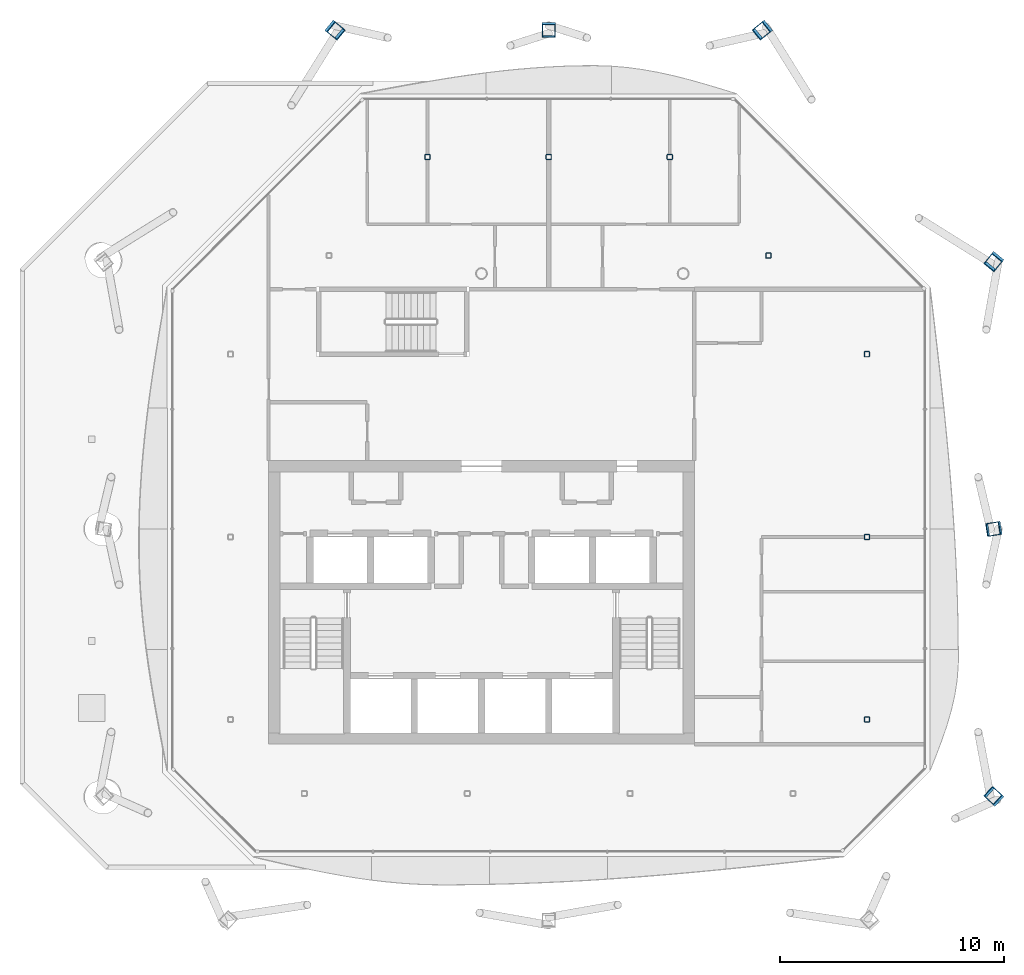
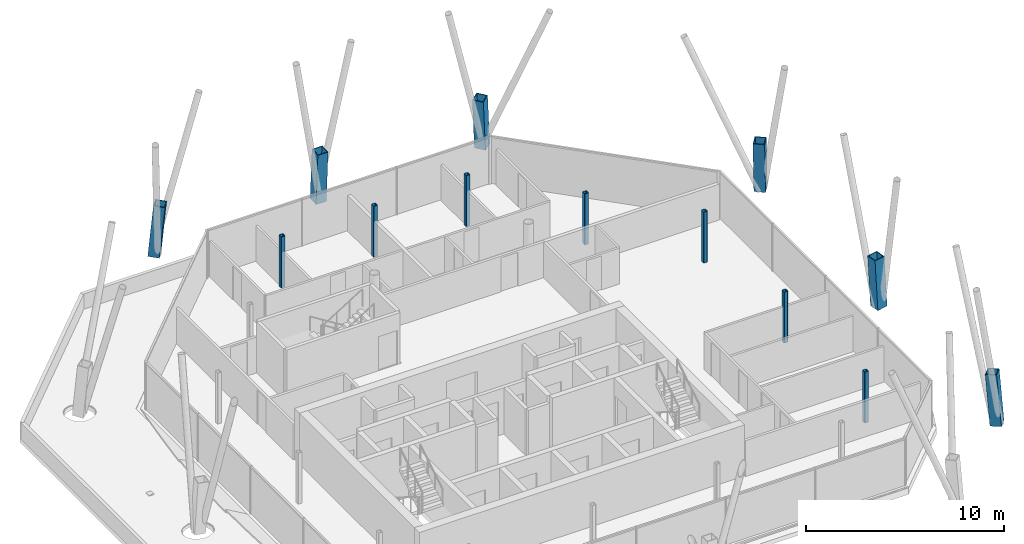
# One storey, part 2 of 17: 13 columns.
"""IFC4 building model written with IfcOpenShell, lengths in metres."""

import ifcopenshell
import ifcopenshell.guid

model = None  # the IFC model being written
_history = None  # IfcOwnerHistory: only IFC2X3 demands one
_inside = {}  # id of a spatial element -> (the spatial element, [elements in it])
_under = {}  # id of a project, library or spatial element -> (it, [spatial elements below it])
_declared = {}  # id of a project -> (the project, [libraries it declares])
_typed = {}  # id of a type object -> (the type object, [elements of that type])
_made_of = {}  # id of a material, layer set ... -> (it, [elements and type objects made of it])


def new_model(schema):
    """Start an empty IFC model of exactly this schema.

    Asked for "IFC4X3", IfcOpenShell would pick the latest addendum, in which some entities
    have other attributes; the version numbers below select the first issue.
    IFC2X3 requires an IfcOwnerHistory on every rooted entity: one is made here for all.
    """
    global model, _history
    if schema == "IFC4X3":
        model = ifcopenshell.file(schema_version=(4, 3, 0, 0))
    else:
        model = ifcopenshell.file(schema=schema)
    _inside.clear()
    _under.clear()
    _declared.clear()
    _typed.clear()
    _made_of.clear()
    _history = None
    if model.schema == "IFC2X3":
        org = make("IfcOrganization", Name="unknown")
        user = make(
            "IfcPersonAndOrganization",
            ThePerson=make("IfcPerson", FamilyName="unknown"),
            TheOrganization=org,
        )
        app = make(
            "IfcApplication",
            ApplicationDeveloper=org,
            Version="unknown",
            ApplicationFullName="unknown",
            ApplicationIdentifier="unknown",
        )
        _history = make(
            "IfcOwnerHistory",
            OwningUser=user,
            OwningApplication=app,
            ChangeAction="ADDED",
            CreationDate=0,
        )
    return model


def make(cls, **values):
    """One entity of the class cls with the attributes given. An attribute that is None is left unset."""
    return model.create_entity(
        cls, **{name: value for name, value in values.items() if value is not None}
    )


def rooted(cls, **values):
    """An entity with a GlobalId (a new one), such as an element, a storey or a relation."""
    return make(cls, GlobalId=ifcopenshell.guid.new(), OwnerHistory=_history, **values)


def si_unit(unit_type, name, prefix=None):
    """IfcSIUnit, for example si_unit("LENGTHUNIT", "METRE", prefix="MILLI")."""
    return make("IfcSIUnit", UnitType=unit_type, Prefix=prefix, Name=name)


def assignment(units):
    """IfcUnitAssignment: the units of a project."""
    return None if units is None else make("IfcUnitAssignment", Units=units)


def point(xyz):
    """IfcCartesianPoint."""
    return None if xyz is None else make("IfcCartesianPoint", Coordinates=xyz)


def direction(xyz):
    """IfcDirection."""
    return None if xyz is None else make("IfcDirection", DirectionRatios=xyz)


def frame(location, z_axis=None, x_axis=None):
    """IfcAxis2Placement3D, a coordinate frame: its origin and axes. An axis left out is left unset."""
    return make(
        "IfcAxis2Placement3D",
        Location=point(location),
        Axis=direction(z_axis),
        RefDirection=direction(x_axis),
    )


def frame_2d(location, x_axis=None):
    """IfcAxis2Placement2D, a coordinate frame in the plane: its origin and x axis."""
    return make(
        "IfcAxis2Placement2D", Location=point(location), RefDirection=direction(x_axis)
    )


def origin():
    """The frame at (0, 0, 0) with its axes left unset."""
    return frame((0.0, 0.0, 0.0))


def origin_2d():
    """The frame at (0, 0) in the plane with its x axis left unset."""
    return frame_2d((0.0, 0.0))


def place(relative_to, where):
    """IfcLocalPlacement: puts the frame where relative to a parent placement (None: the world)."""
    return make(
        "IfcLocalPlacement", PlacementRelTo=relative_to, RelativePlacement=where
    )


def context(
    kind, dimensions, precision=None, world=None, true_north=None, identifier=None
):
    """IfcGeometricRepresentationContext, for example the 3D "Model" context."""
    return make(
        "IfcGeometricRepresentationContext",
        ContextIdentifier=identifier,
        ContextType=kind,
        CoordinateSpaceDimension=dimensions,
        Precision=precision,
        WorldCoordinateSystem=world,
        TrueNorth=true_north,
    )


def subcontext(parent, identifier, kind, view, scale=None):
    """IfcGeometricRepresentationSubContext, for example "Body" below "Model"."""
    return make(
        "IfcGeometricRepresentationSubContext",
        ContextIdentifier=identifier,
        ContextType=kind,
        ParentContext=parent,
        TargetScale=scale,
        TargetView=view,
    )


def project(units=None, contexts=None):
    """IfcProject with its units and contexts."""
    return rooted(
        "IfcProject",
        Name="project",
        RepresentationContexts=contexts,
        UnitsInContext=assignment(units),
    )


def spatial(cls, under=None, at=None, **own):
    """A site, building, storey or space (cls), placed at a placement, below another one or the project."""
    s = rooted(cls, ObjectPlacement=at, **own)
    if under is not None:
        _under.setdefault(under.id(), (under, []))[1].append(s)
    return s


def profile(cls, at=None, kind="AREA", **sizes):
    """A parametric profile (cls). Its sizes go by their IFC names, for example OverallWidth=200.0."""
    return make(cls, ProfileType=kind, Position=at, **sizes)


def hollow_rectangle(**sizes):
    """IfcRectangleHollowProfileDef."""
    return profile("IfcRectangleHollowProfileDef", **sizes)


def extrude(swept, where, along, depth):
    """IfcExtrudedAreaSolid: the profile swept, set in the frame where, extruded along a direction by depth."""
    return make(
        "IfcExtrudedAreaSolid",
        SweptArea=swept,
        Position=where,
        ExtrudedDirection=direction(along),
        Depth=depth,
    )


def shape(context_of_items, identifier, shape_type, items):
    """IfcShapeRepresentation: the items that make up one representation, for example the "Body"."""
    return make(
        "IfcShapeRepresentation",
        ContextOfItems=context_of_items,
        RepresentationIdentifier=identifier,
        RepresentationType=shape_type,
        Items=items,
    )


def material(Name=None, Category=None):
    """IfcMaterial."""
    return make("IfcMaterial", Name=Name, Category=Category)


def material_profile(
    of_material, cross_section, Name=None, Category=None, Priority=None
):
    """IfcMaterialProfile: a cross section and its material."""
    return make(
        "IfcMaterialProfile",
        Name=Name,
        Material=of_material,
        Profile=cross_section,
        Priority=Priority,
        Category=Category,
    )


def profile_set(profiles, Name=None, composite=None):
    """IfcMaterialProfileSet."""
    return make(
        "IfcMaterialProfileSet",
        Name=Name,
        MaterialProfiles=profiles,
        CompositeProfile=composite,
    )


def made_of(thing, what):
    """Note that an element or type object is made of a material, layer set ...; save() writes the relation."""
    if what is not None:
        _made_of.setdefault(what.id(), (what, []))[1].append(thing)
    return thing


def type_object(cls, material=None, **own):
    """A type object (cls), such as IfcWallType, which elements share."""
    return made_of(rooted(cls, **own), material)


def element(
    cls,
    number,
    at=None,
    inside=None,
    cuts=None,
    type_object=None,
    material=None,
    context=None,
    identifier="Body",
    shape_type=None,
    held_by="IfcProductDefinitionShape",
    body=None,
    shapes=None,
    **own,
):
    """One element of the class cls, such as IfcWall. Its Tag is "e" and its number.

    at: its placement. inside: the storey or other place that contains it. cuts: it is an
    opening in that element (IfcRelVoidsElement). A single representation is given by context,
    identifier, shape_type and body (its items); several are given by shapes. held_by: the class
    of the entity that holds the representations. save() writes the other relations.
    """
    e = rooted(cls, Tag="e%d" % number, ObjectPlacement=at, **own)
    if body is not None:
        shapes = [shape(context, identifier, shape_type, body)]
    if shapes is not None:
        e.Representation = make(held_by, Representations=shapes)
    if inside is not None:
        _inside.setdefault(inside.id(), (inside, []))[1].append(e)
    if cuts is not None:
        rooted(
            "IfcRelVoidsElement", RelatingBuildingElement=cuts, RelatedOpeningElement=e
        )
    if type_object is not None:
        _typed.setdefault(type_object.id(), (type_object, []))[1].append(e)
    return made_of(e, material)


def aggregate(whole, parts):
    """IfcRelAggregates: a whole, such as a stair, and the parts it consists of."""
    return rooted("IfcRelAggregates", RelatingObject=whole, RelatedObjects=parts)


def save(model, path):
    """Write the relations noted so far, then the file.

    IfcRelAggregates (storeys below a building ...), IfcRelContainedInSpatialStructure (elements
    in a storey), IfcRelDefinesByType, IfcRelAssociatesMaterial and IfcRelDeclares: one each for
    every whole, place, type object, material and project.
    """
    for whole, parts in _under.values():
        aggregate(whole, parts)
    for where, things in _inside.values():
        rooted(
            "IfcRelContainedInSpatialStructure",
            RelatedElements=things,
            RelatingStructure=where,
        )
    for kind, things in _typed.values():
        rooted("IfcRelDefinesByType", RelatedObjects=things, RelatingType=kind)
    for what, things in _made_of.values():
        rooted("IfcRelAssociatesMaterial", RelatedObjects=things, RelatingMaterial=what)
    for by, libraries in _declared.values():
        rooted("IfcRelDeclares", RelatingContext=by, RelatedDefinitions=libraries)
    model.write(path)


model = new_model("IFC4")

# Units and contexts
model_context = context("Model", 3, precision=1e-05, world=origin(), true_north=direction((0.0, 1.0)))
body_context = subcontext(model_context, "Body", "Model", "MODEL_VIEW")
ifc_project = project(units=[si_unit("LENGTHUNIT", "METRE"), si_unit("AREAUNIT", "SQUARE_METRE"), si_unit("VOLUMEUNIT", "CUBIC_METRE"), si_unit("PLANEANGLEUNIT", "RADIAN"), si_unit("MASSUNIT", "GRAM", prefix="KILO")], contexts=[model_context])

# Site, building, storey
site_placement = place(None, origin())
site = spatial("IfcSite", under=ifc_project, at=site_placement, CompositionType="ELEMENT")
building_placement = place(site_placement, origin())
building = spatial("IfcBuilding", under=site, at=building_placement, Name="Tskaro Facet Tower", CompositionType="ELEMENT")
storey_placement = place(building_placement, frame((0.0, 0.0, 259.5)))
storey = spatial("IfcBuildingStorey", under=building, at=storey_placement, Name="L68", CompositionType="ELEMENT", Elevation=259.5)

# Columns
ifc_material_1 = material(Name="Steel S355J2", Category="steel")
ifc_material_profile_1 = material_profile(ifc_material_1, hollow_rectangle(XDim=0.60009765625, YDim=0.60009765625, WallThickness=0.0400390625, at=origin_2d()), Name="BOX 600x600x40")
ifc_profile_set_1 = profile_set([ifc_material_profile_1], Name="Steel S355J2")
column_type_1 = type_object("IfcColumnType", Name="BOX 600x600x40 mega column", PredefinedType="COLUMN", material=ifc_profile_set_1)
column_1_placement = place(storey_placement, frame((22.89306640625, -14.35498046875, 0.0), z_axis=(-0.057951446548, 0.052851719252, 0.996919417814), x_axis=(-0.673848784787, -0.738869281565, 0.0)))
element("IfcColumn", 1, at=column_1_placement, inside=storey, type_object=column_type_1, Name="BOX 600x600x40 MC04/6", PredefinedType="COLUMN", context=body_context, shape_type="SweptSolid", body=[
    extrude(hollow_rectangle(XDim=0.60009765625, YDim=0.60009765625, WallThickness=0.0400390625, at=origin_2d()), origin(), (0.0, 0.0, 1.0), 3.15966796875),
])
column_2_placement = place(storey_placement, frame((22.89306640625, -2.39208984375, 0.0), z_axis=(-0.05803013572, -0.009130074687, 0.998273081418), x_axis=(0.155421458417, -0.98784825265, 0.0)))
element("IfcColumn", 2, at=column_2_placement, inside=storey, type_object=column_type_1, Name="BOX 600x600x40 MC05/6", PredefinedType="COLUMN", context=body_context, shape_type="SweptSolid", body=[
    extrude(hollow_rectangle(XDim=0.60009765625, YDim=0.60009765625, WallThickness=0.0400390625, at=origin_2d()), origin(), (0.0, 0.0, 1.0), 3.1552734375),
])
for number, where, z_axis, x_axis, name in (
    (3, (22.89306640625, 9.572021484375, 0.0), (-0.057884160553, -0.071467643563, 0.995761919276), (0.777088504756, -0.629391337545, 0.0), "BOX 600x600x40 MC06/6"),
    (4, (12.572021484375, 19.89306640625, 0.0), (-0.071467643563, -0.057884160553, 0.995761919276), (0.629391337545, -0.777088504756, 0.0), "BOX 600x600x40 MC07/6"),
):
    element("IfcColumn", number, at=place(storey_placement, frame(where, z_axis=z_axis, x_axis=x_axis)), inside=storey, type_object=column_type_1, Name=name, PredefinedType="COLUMN", context=body_context, shape_type="SweptSolid", body=[
        extrude(hollow_rectangle(XDim=0.60009765625, YDim=0.60009765625, WallThickness=0.0400390625, at=origin_2d()), origin(), (0.0, 0.0, 1.0), 3.163330078125),
    ])
column_3_placement = place(storey_placement, frame((3.0, 19.89306640625, 0.0), z_axis=(0.0, -0.058032554517, 0.998314691175), x_axis=(1.0, 0.0, 0.0)))
element("IfcColumn", 5, at=column_3_placement, inside=storey, type_object=column_type_1, Name="BOX 600x600x40 MC08/6", PredefinedType="COLUMN", context=body_context, shape_type="SweptSolid", body=[
    extrude(hollow_rectangle(XDim=0.60009765625, YDim=0.60009765625, WallThickness=0.0400390625, at=origin_2d()), origin(), (0.0, 0.0, 1.0), 3.1552734375),
])
column_4_placement = place(storey_placement, frame((-6.572021484375, 19.89306640625, 0.0), z_axis=(0.071467643563, -0.057884160553, 0.995761919276), x_axis=(0.629391337545, 0.777088504756, 0.0)))
element("IfcColumn", 6, at=column_4_placement, inside=storey, type_object=column_type_1, Name="BOX 600x600x40 MC09/6", PredefinedType="COLUMN", context=body_context, shape_type="SweptSolid", body=[
    extrude(hollow_rectangle(XDim=0.60009765625, YDim=0.60009765625, WallThickness=0.0400390625, at=origin_2d()), origin(), (0.0, 0.0, 1.0), 3.163330078125),
])
ifc_material_2 = material(Name="Steel S355J2H", Category="steel")
ifc_material_profile_2 = material_profile(ifc_material_2, hollow_rectangle(XDim=0.25, YDim=0.25, WallThickness=0.02001953125, InnerFilletRadius=0.030029296875, OuterFilletRadius=0.050048828125, at=origin_2d()), Name="SHS 250x250x20")
ifc_profile_set_2 = profile_set([ifc_material_profile_2], Name="Steel S355J2H")
column_type_2 = type_object("IfcColumnType", Name="SHS 250x250x20 ring column", PredefinedType="COLUMN", material=ifc_profile_set_2)
for number, where, z_axis, x_axis, name in (
    (7, (17.199951171875, -10.903076171875, 0.0), (0.0, 0.0, 1.0), (1.0, 0.0, 0.0), "SHS 250x250x20 RE-1/6"),
    (8, (17.199951171875, -2.75, 0.0), (0.0, 0.0, 1.0), (1.0, 0.0, 0.0), "SHS 250x250x20 RE-2/6"),
    (9, (17.199951171875, 5.403076171875, 0.0), (0.0, 0.0, 1.0), (1.0, 0.0, 0.0), "SHS 250x250x20 RNE-1/6"),
    (10, (12.802001953125, 9.802001953125, 0.0), (0.0, 0.0, 1.0), (1.0, 0.0, 0.0), "SHS 250x250x20 RNE-2/6"),
    (11, (8.403076171875, 14.199951171875, 0.0), (0.0, 0.0, 1.0), (1.0, 0.0, 0.0), "SHS 250x250x20 RN-1/6"),
    (12, (3.0, 14.199951171875, 0.0), (0.0, 0.0, 1.0), (1.0, 0.0, 0.0), "SHS 250x250x20 RN-2/6"),
    (13, (-2.403076171875, 14.199951171875, 0.0), (0.0, 0.0, 1.0), (1.0, 0.0, 0.0), "SHS 250x250x20 RNW-1/6"),
):
    element("IfcColumn", number, at=place(storey_placement, frame(where, z_axis=z_axis, x_axis=x_axis)), inside=storey, type_object=column_type_2, Name=name, PredefinedType="COLUMN", context=body_context, shape_type="SweptSolid", body=[
        extrude(hollow_rectangle(XDim=0.25, YDim=0.25, WallThickness=0.02001953125, InnerFilletRadius=0.030029296875, OuterFilletRadius=0.050048828125, at=origin_2d()), origin(), (0.0, 0.0, 1.0), 3.14990234375),
    ])

save(model, "model.ifc")
